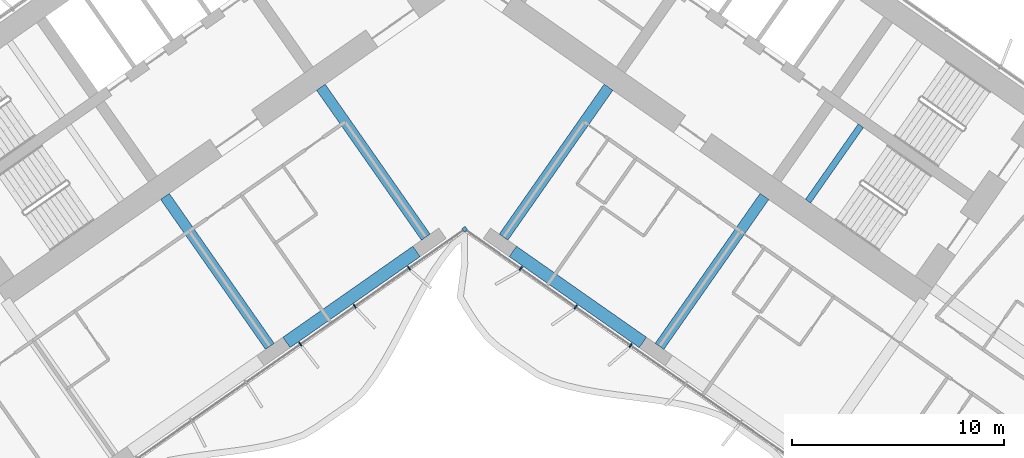
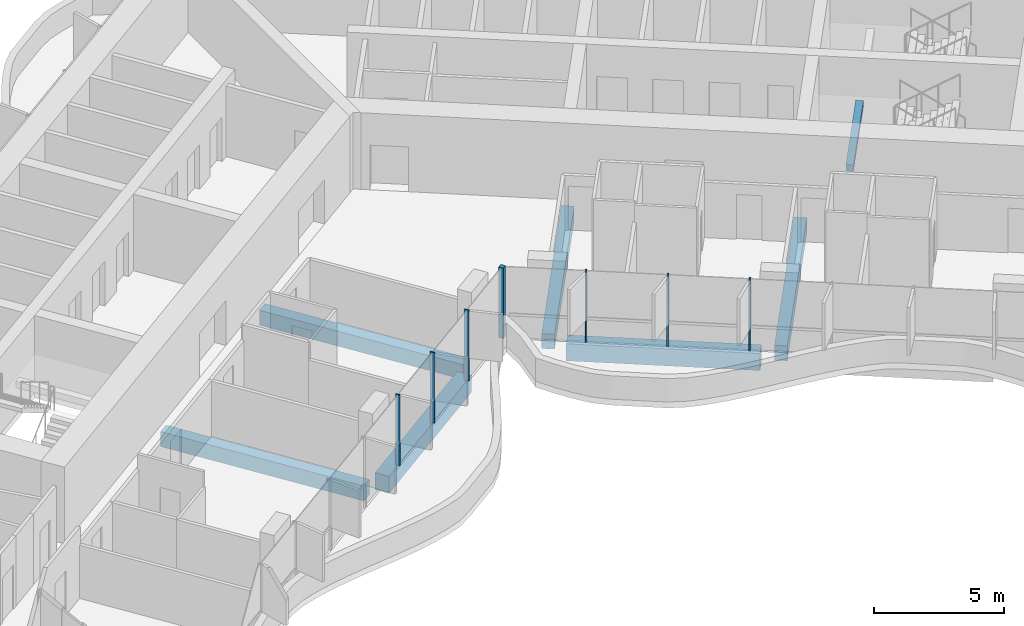
# One storey, part 6 of 24: 7 beams, 7 members, 1 element without a shape of its own.
"""IFC4 building model written with IfcOpenShell, lengths in metres."""

from ifc_helpers import new_model, si_unit, direction, frame, origin, origin_2d, place, context, subcontext, project, spatial, rectangle, extrude, material, material_profile, profile_set, type_object, element, aggregate, save


model = new_model("IFC4")

# Units and contexts
model_context = context("Model", 3, precision=1e-05, world=origin(), true_north=direction((0.0, 1.0)))
body_context = subcontext(model_context, "Body", "Model", "MODEL_VIEW")
ifc_project = project(units=[si_unit("LENGTHUNIT", "METRE"), si_unit("AREAUNIT", "SQUARE_METRE"), si_unit("VOLUMEUNIT", "CUBIC_METRE"), si_unit("PLANEANGLEUNIT", "RADIAN"), si_unit("MASSUNIT", "GRAM", prefix="KILO")], contexts=[model_context])

# Site, building, storey
site_placement = place(None, origin())
site = spatial("IfcSite", under=ifc_project, at=site_placement, CompositionType="ELEMENT")
building_placement = place(site_placement, origin())
building = spatial("IfcBuilding", under=site, at=building_placement, Name="Tel Ilan Convention Tower", CompositionType="ELEMENT")
storey_placement = place(building_placement, frame((0.0, 0.0, 90.5)))
storey = spatial("IfcBuildingStorey", under=building, at=storey_placement, Name="L18", CompositionType="ELEMENT", Elevation=90.5)

# Beams
ifc_material_1 = material(Name="Concrete C40/50", Category="concrete")
ifc_material_profile_1 = material_profile(ifc_material_1, rectangle(XDim=0.5, YDim=0.699951171875, at=origin_2d()), Name="RC 500x700")
ifc_profile_set_1 = profile_set([ifc_material_profile_1], Name="Concrete C40/50")
beam_type_1 = type_object("IfcBeamType", Name="Beam RC 500x700 Concrete C40/50", PredefinedType="BEAM", material=ifc_profile_set_1)
for number, where, z_axis, x_axis, name in (
    (1, (-1.83740234375, -13.06689453125, -0.6298828125), (-0.573574099654, 0.819153680457, 0.0), (-0.819153680457, -0.573574099654, 0.0), "L18 beam W-W-F1-core"),
    (2, (-9.209716796875, -18.229248046875, -0.6298828125), (-0.573574099654, 0.819153680457, 0.0), (-0.819153680457, -0.573574099654, 0.0), "L18 beam W-W-F2-core"),
    (3, (1.83740234375, -13.06689453125, -0.6298828125), (0.573574099654, 0.819153680457, 0.0), (-0.819153680457, 0.573574099654, 0.0), "L18 beam E-E-F1-core"),
    (4, (9.209716796875, -18.229248046875, -0.6298828125), (0.573574099654, 0.819153680457, 0.0), (-0.819153680457, 0.573574099654, 0.0), "L18 beam E-E-F2-core"),
):
    element("IfcBeam", number, at=place(storey_placement, frame(where, z_axis=z_axis, x_axis=x_axis)), inside=storey, type_object=beam_type_1, Name=name, PredefinedType="BEAM", context=body_context, shape_type="SweptSolid", body=[
        extrude(rectangle(XDim=0.5, YDim=0.699951171875, at=origin_2d()), origin(), (0.0, 0.0, 1.0), 8.64990234375),
    ])
ifc_material_2 = material(Name="Concrete C40/50", Category="concrete")
ifc_material_profile_2 = material_profile(ifc_material_2, rectangle(XDim=0.60009765625, YDim=0.800048828125, at=origin_2d()), Name="RC 600x800")
ifc_profile_set_2 = profile_set([ifc_material_profile_2], Name="Concrete C40/50")
beam_type_2 = type_object("IfcBeamType", Name="Beam RC 600x800 Concrete C40/50", PredefinedType="BEAM", material=ifc_profile_set_2)
for number, where, z_axis, x_axis, name in (
    (5, (-2.279541015625, -13.742919921875, -0.679931640625), (-0.819147803225, -0.57358249317, 0.0), (0.57358249317, -0.819147803225, 0.0), "L18 beam W-W-F1-W-F2"),
    (6, (2.279541015625, -13.742919921875, -0.679931640625), (0.819147803225, -0.57358249317, 0.0), (0.57358249317, 0.819147803225, 0.0), "L18 beam E-E-F1-E-F2"),
):
    element("IfcBeam", number, at=place(storey_placement, frame(where, z_axis=z_axis, x_axis=x_axis)), inside=storey, type_object=beam_type_2, Name=name, PredefinedType="BEAM", context=body_context, shape_type="SweptSolid", body=[
        extrude(rectangle(XDim=0.60009765625, YDim=0.800048828125, at=origin_2d()), origin(), (0.0, 0.0, 1.0), 7.500244140625),
    ])

# Curtain wall, members
ifc_material_3 = material(Name="Aluminium, bronze anodised", Category="aluminium")
curtain_wall_type = type_object("IfcCurtainWallType", Name="CW1 UNITISED CURTAIN WALL, HOTEL TINTED GLASS", PredefinedType="NOTDEFINED", material=ifc_material_3)
curtain_wall_placement = place(storey_placement, origin())
curtain_wall = element("IfcCurtainWall", 7, at=curtain_wall_placement, inside=storey, type_object=curtain_wall_type, Name="Curtain wall CW1-16.02", PredefinedType="NOTDEFINED")
ifc_material_4 = material(Name="Aluminium, bronze anodised", Category="aluminium")
ifc_material_profile_3 = material_profile(ifc_material_4, rectangle(XDim=0.199951171875, YDim=0.199951171875, at=origin_2d()), Name="CW CORNER MULLION 200x200")
ifc_profile_set_3 = profile_set([ifc_material_profile_3], Name="Aluminium, bronze anodised")
member_type_1 = type_object("IfcMemberType", Name="CW CORNER MULLION 200x200", PredefinedType="MULLION", material=ifc_profile_set_3)
member_1_placement = place(storey_placement, frame((0.0, -12.696044921875, 0.0), z_axis=(0.0, 0.0, 1.0), x_axis=(0.819152044289, 0.573576436351, 0.0)))
member_1 = element("IfcMember", 8, at=member_1_placement, type_object=member_type_1, Name="Corner mullion", PredefinedType="MULLION", context=body_context, shape_type="SweptSolid", body=[
    extrude(rectangle(XDim=0.199951171875, YDim=0.199951171875, at=origin_2d()), origin(), (0.0, 0.0, 1.0), 3.320068359375),
])
ifc_material_5 = material(Name="Aluminium, bronze anodised", Category="aluminium")
ifc_material_profile_4 = material_profile(ifc_material_5, rectangle(XDim=0.06005859375, YDim=0.199951171875, at=origin_2d()), Name="CW MULLION 60x200")
ifc_profile_set_4 = profile_set([ifc_material_profile_4], Name="Aluminium, bronze anodised")
member_type_2 = type_object("IfcMemberType", Name="CW MULLION 60x200", PredefinedType="MULLION", material=ifc_profile_set_4)
member_2_placement = place(storey_placement, frame((-7.76708984375, -18.134765625, 0.0), z_axis=(0.0, 0.0, 1.0), x_axis=(0.819152044289, 0.573576436351, 0.0)))
member_2 = element("IfcMember", 9, at=member_2_placement, type_object=member_type_2, Name="Mullion", PredefinedType="MULLION", context=body_context, shape_type="SweptSolid", body=[
    extrude(rectangle(XDim=0.06005859375, YDim=0.199951171875, at=origin_2d()), origin(), (0.0, 0.0, 1.0), 3.320068359375),
])
member_3_placement = place(storey_placement, frame((-5.197265625, -16.335205078125, 0.0), z_axis=(0.0, 0.0, 1.0), x_axis=(0.819152044289, 0.573576436351, 0.0)))
member_3 = element("IfcMember", 10, at=member_3_placement, type_object=member_type_2, Name="Mullion", PredefinedType="MULLION", context=body_context, shape_type="SweptSolid", body=[
    extrude(rectangle(XDim=0.06005859375, YDim=0.199951171875, at=origin_2d()), origin(), (0.0, 0.0, 1.0), 3.320068359375),
])
member_4_placement = place(storey_placement, frame((-2.627197265625, -14.53564453125, 0.0), z_axis=(0.0, 0.0, 1.0), x_axis=(0.819152044289, 0.573576436351, 0.0)))
member_4 = element("IfcMember", 11, at=member_4_placement, type_object=member_type_2, Name="Mullion", PredefinedType="MULLION", context=body_context, shape_type="SweptSolid", body=[
    extrude(rectangle(XDim=0.06005859375, YDim=0.199951171875, at=origin_2d()), origin(), (0.0, 0.0, 1.0), 3.320068359375),
])
member_5_placement = place(storey_placement, frame((2.65234375, -14.55322265625, 0.0), z_axis=(0.0, 0.0, 1.0), x_axis=(0.819152044289, -0.573576436351, 0.0)))
member_5 = element("IfcMember", 12, at=member_5_placement, type_object=member_type_2, Name="Mullion", PredefinedType="MULLION", context=body_context, shape_type="SweptSolid", body=[
    extrude(rectangle(XDim=0.06005859375, YDim=0.199951171875, at=origin_2d()), origin(), (0.0, 0.0, 1.0), 3.320068359375),
])
member_6_placement = place(storey_placement, frame((5.24755859375, -16.370361328125, 0.0), z_axis=(0.0, 0.0, 1.0), x_axis=(0.819152044289, -0.573576436351, 0.0)))
member_6 = element("IfcMember", 13, at=member_6_placement, type_object=member_type_2, Name="Mullion", PredefinedType="MULLION", context=body_context, shape_type="SweptSolid", body=[
    extrude(rectangle(XDim=0.06005859375, YDim=0.199951171875, at=origin_2d()), origin(), (0.0, 0.0, 1.0), 3.320068359375),
])
member_7_placement = place(storey_placement, frame((7.842529296875, -18.1875, 0.0), z_axis=(0.0, 0.0, 1.0), x_axis=(0.819152044289, -0.573576436351, 0.0)))
member_7 = element("IfcMember", 14, at=member_7_placement, type_object=member_type_2, Name="Mullion", PredefinedType="MULLION", context=body_context, shape_type="SweptSolid", body=[
    extrude(rectangle(XDim=0.06005859375, YDim=0.199951171875, at=origin_2d()), origin(), (0.0, 0.0, 1.0), 3.320068359375),
])
aggregate(curtain_wall, [member_2, member_3, member_4, member_1, member_5, member_6, member_7])

# Beam
ifc_material_6 = material(Name="Concrete C40/50", Category="concrete")
ifc_material_profile_5 = material_profile(ifc_material_6, rectangle(XDim=0.300048828125, YDim=0.300048828125, at=origin_2d()), Name="RC 300x300")
ifc_profile_set_5 = profile_set([ifc_material_profile_5], Name="Concrete C40/50")
beam_type_3 = type_object("IfcBeamType", Name="Landing Beam RC 300x300 Concrete C40/50", PredefinedType="BEAM", material=ifc_profile_set_5)
beam_placement = place(storey_placement, frame((18.726806640625, -7.80224609375, 1.449951171875), z_axis=(-0.573594173421, -0.819139624372, 0.0), x_axis=(0.819139624372, -0.573594173421, 0.0)))
element("IfcBeam", 15, at=beam_placement, inside=storey, type_object=beam_type_3, Name="S4 landing beam L18.1", PredefinedType="BEAM", context=body_context, shape_type="SweptSolid", body=[
    extrude(rectangle(XDim=0.300048828125, YDim=0.300048828125, at=origin_2d()), origin(), (0.0, 0.0, 1.0), 4.349853515625),
])

save(model, "model.ifc")
